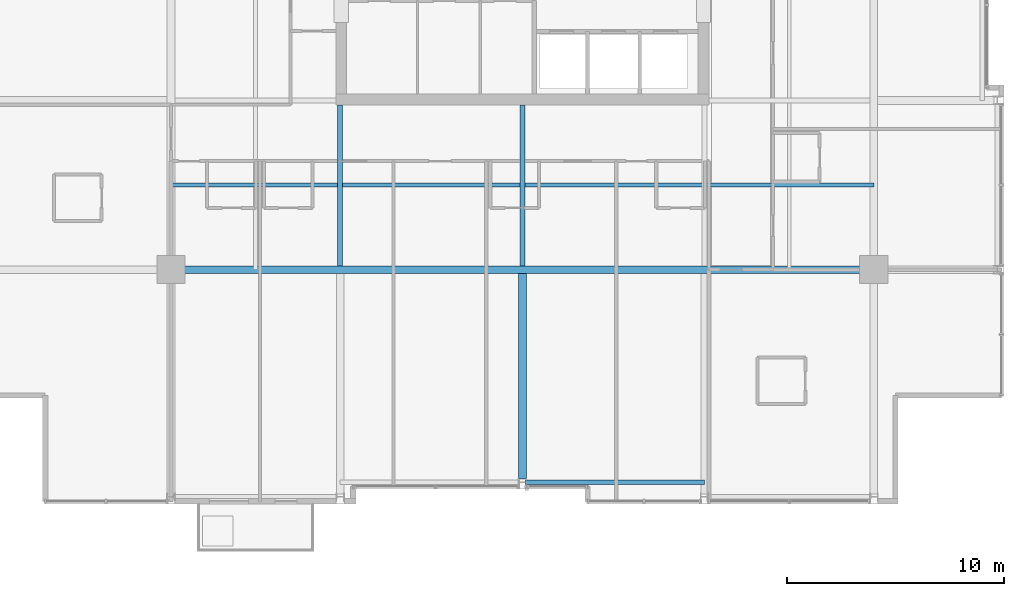
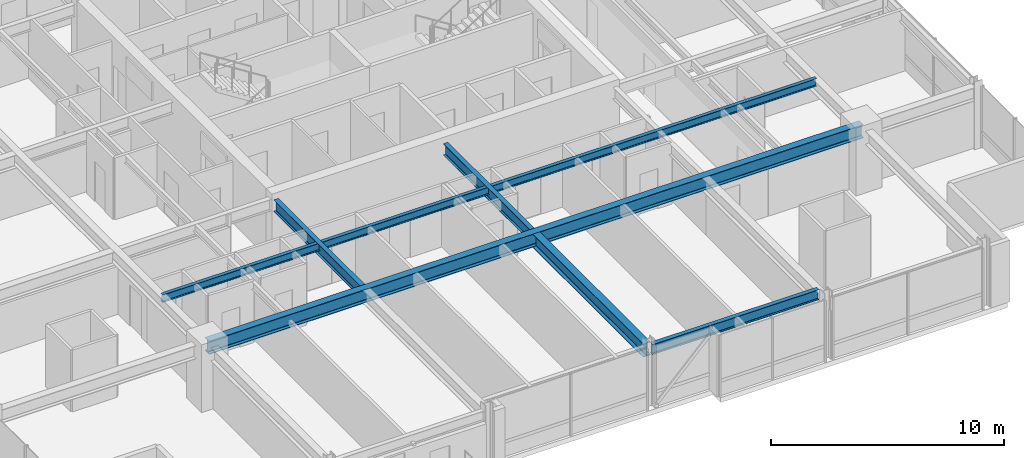
# One storey, part 6 of 33: 6 beams.
"""IFC4 building model written with IfcOpenShell, lengths in metres."""

from ifc_helpers import new_model, si_unit, direction, frame, origin, origin_2d, place, context, subcontext, project, spatial, i_section, extrude, material, material_profile, profile_set, type_object, element, save


model = new_model("IFC4")

# Units and contexts
model_context = context("Model", 3, precision=1e-05, world=origin(), true_north=direction((0.0, 1.0)))
body_context = subcontext(model_context, "Body", "Model", "MODEL_VIEW")
ifc_project = project(units=[si_unit("LENGTHUNIT", "METRE"), si_unit("AREAUNIT", "SQUARE_METRE"), si_unit("VOLUMEUNIT", "CUBIC_METRE"), si_unit("PLANEANGLEUNIT", "RADIAN"), si_unit("MASSUNIT", "GRAM", prefix="KILO")], contexts=[model_context])

# Site, building, storey
site_placement = place(None, origin())
site = spatial("IfcSite", under=ifc_project, at=site_placement, CompositionType="ELEMENT")
building_placement = place(site_placement, origin())
building = spatial("IfcBuilding", under=site, at=building_placement, Name="Drelvath Grand Hotel", CompositionType="ELEMENT")
storey_placement = place(building_placement, frame((0.0, 0.0, 196.550048828125)))
storey = spatial("IfcBuildingStorey", under=building, at=storey_placement, Name="L51", CompositionType="ELEMENT", Elevation=196.550048828125)

# Beams
ifc_material = material(Name="Steel ASTM A992 Gr 50", Category="steel")
ifc_material_profile_1 = material_profile(ifc_material, i_section(OverallWidth=0.177734375, OverallDepth=0.40673828125, WebThickness=0.0078125, FlangeThickness=0.0126953125, FilletRadius=0.014892578125, at=origin_2d()), Name="W16X40")
ifc_profile_set_1 = profile_set([ifc_material_profile_1], Name="Steel ASTM A992 Gr 50")
beam_type_1 = type_object("IfcBeamType", Name="Composite Floor Joist W16X40", PredefinedType="JOIST", material=ifc_profile_set_1)
beam_1_placement = place(storey_placement, frame((-16.199951171875, 14.699951171875, 3.026611328125), z_axis=(1.0, 0.0, 0.0), x_axis=(0.0, 1.0, 0.0)))
element("IfcBeam", 1, at=beam_1_placement, inside=storey, type_object=beam_type_1, Name="L51 Floor Joist J1", PredefinedType="JOIST", context=body_context, shape_type="SweptSolid", body=[
    extrude(i_section(OverallWidth=0.177734375, OverallDepth=0.40673828125, WebThickness=0.0078125, FlangeThickness=0.0126953125, FilletRadius=0.014892578125, at=origin_2d()), origin(), (0.0, 0.0, 1.0), 32.39990234375),
])
ifc_material_profile_2 = material_profile(ifc_material, i_section(OverallWidth=0.210205078125, OverallDepth=0.53662109375, WebThickness=0.010986328125, FlangeThickness=0.017333984375, FilletRadius=0.01806640625, at=origin_2d()), Name="W21X68")
ifc_profile_set_2 = profile_set([ifc_material_profile_2], Name="Steel ASTM A992 Gr 50")
beam_type_2 = type_object("IfcBeamType", Name="Perimeter Spandrel Beam W21X68", PredefinedType="SPANDREL", material=ifc_profile_set_2)
beam_2_placement = place(storey_placement, frame((0.139892578125, 1.0, 2.961669921875), z_axis=(1.0, 0.0, 0.0), x_axis=(0.0, 1.0, 0.0)))
element("IfcBeam", 2, at=beam_2_placement, inside=storey, type_object=beam_type_2, Name="L51 Spandrel South Mid E", PredefinedType="SPANDREL", context=body_context, shape_type="SweptSolid", body=[
    extrude(i_section(OverallWidth=0.210205078125, OverallDepth=0.53662109375, WebThickness=0.010986328125, FlangeThickness=0.017333984375, FilletRadius=0.01806640625, at=origin_2d()), origin(), (0.0, 0.0, 1.0), 8.260009765625),
])
ifc_material_profile_3 = material_profile(ifc_material, i_section(OverallWidth=0.228271484375, OverallDepth=0.607666015625, WebThickness=0.01123046875, FlangeThickness=0.017333984375, FilletRadius=0.02001953125, at=origin_2d()), Name="W24X76")
ifc_profile_set_3 = profile_set([ifc_material_profile_3], Name="Steel ASTM A992 Gr 50")
beam_type_3 = type_object("IfcBeamType", Name="Primary Floor Girder W24X76", PredefinedType="BEAM", material=ifc_profile_set_3)
for number, where, z_axis, x_axis, name in (
    (3, (-8.39990234375, 10.977294921875, 2.92626953125), (0.0, 1.0, 0.0), (-1.0, 0.0, 0.0), "L51 South Core Tie 4"),
    (4, (0.0, 10.977294921875, 2.92626953125), (0.0, 1.0, 0.0), (-1.0, 0.0, 0.0), "L51 South Core Tie 5"),
):
    element("IfcBeam", number, at=place(storey_placement, frame(where, z_axis=z_axis, x_axis=x_axis)), inside=storey, type_object=beam_type_3, Name=name, PredefinedType="BEAM", context=body_context, shape_type="SweptSolid", body=[
        extrude(i_section(OverallWidth=0.228271484375, OverallDepth=0.607666015625, WebThickness=0.01123046875, FlangeThickness=0.017333984375, FilletRadius=0.02001953125, at=origin_2d()), origin(), (0.0, 0.0, 1.0), 7.422607421875),
    ])
ifc_material_profile_4 = material_profile(ifc_material, i_section(OverallWidth=0.354736328125, OverallDepth=0.695556640625, WebThickness=0.015380859375, FlangeThickness=0.025146484375, FilletRadius=0.02392578125, at=origin_2d()), Name="W27X146")
ifc_profile_set_4 = profile_set([ifc_material_profile_4], Name="Steel ASTM A992 Gr 50")
beam_type_4 = type_object("IfcBeamType", Name="Primary Floor Girder W27X146", PredefinedType="BEAM", material=ifc_profile_set_4)
beam_3_placement = place(storey_placement, frame((-16.199951171875, 10.800048828125, 2.88232421875), z_axis=(1.0, 0.0, 0.0), x_axis=(0.0, 1.0, 0.0)))
element("IfcBeam", 5, at=beam_3_placement, inside=storey, type_object=beam_type_4, Name="L51 Mega Ring Girder South", PredefinedType="BEAM", context=body_context, shape_type="SweptSolid", body=[
    extrude(i_section(OverallWidth=0.354736328125, OverallDepth=0.695556640625, WebThickness=0.015380859375, FlangeThickness=0.025146484375, FilletRadius=0.02392578125, at=origin_2d()), origin(), (0.0, 0.0, 1.0), 32.39990234375),
])
beam_4_placement = place(storey_placement, frame((0.0, 1.139892578125, 2.88232421875), z_axis=(0.0, 1.0, 0.0), x_axis=(-1.0, 0.0, 0.0)))
element("IfcBeam", 6, at=beam_4_placement, inside=storey, type_object=beam_type_4, Name="L51 South Wing Girder 5", PredefinedType="BEAM", context=body_context, shape_type="SweptSolid", body=[
    extrude(i_section(OverallWidth=0.354736328125, OverallDepth=0.695556640625, WebThickness=0.015380859375, FlangeThickness=0.025146484375, FilletRadius=0.02392578125, at=origin_2d()), origin(), (0.0, 0.0, 1.0), 9.482666015625),
])

save(model, "model.ifc")
